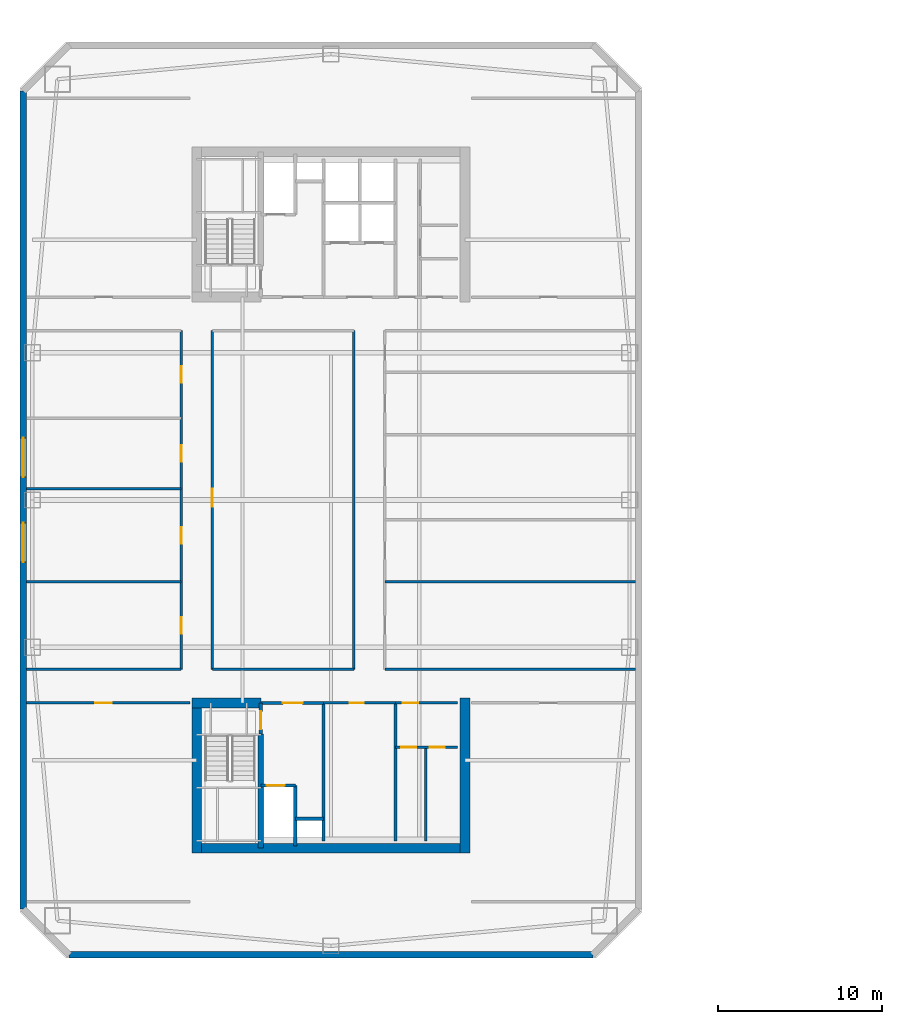
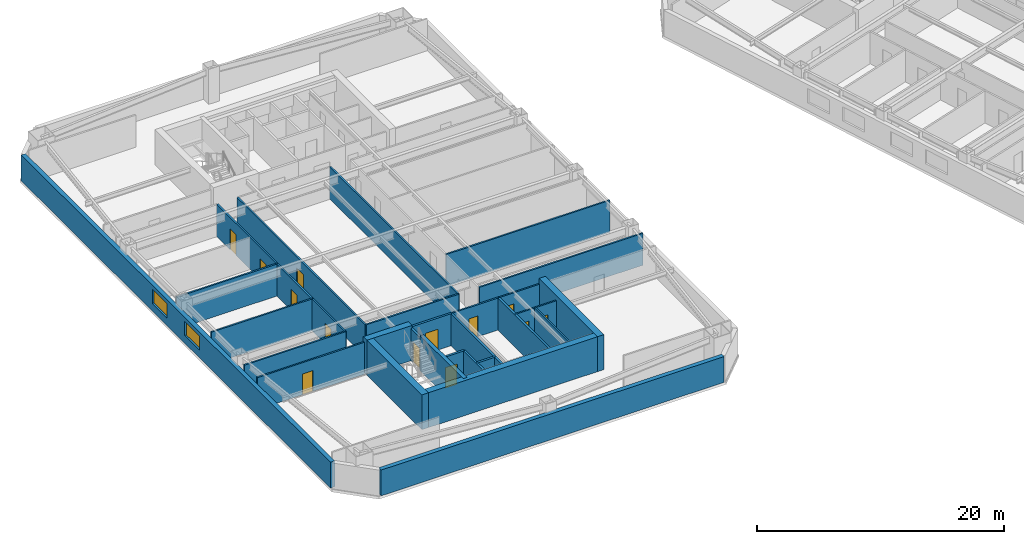
# One storey, part 3 of 11: 28 walls, 13 doors, 2 windows, 15 openings.
"""IFC4 building model written with IfcOpenShell, lengths in metres."""

from ifc_helpers import new_model, si_unit, direction, frame, frame_2d, origin, place, context, subcontext, project, spatial, rectangle, extrude, material, layer, layer_set, type_object, element, fill, save


model = new_model("IFC4")

# Units and contexts
model_context = context("Model", 3, precision=1e-05, world=origin(), true_north=direction((0.0, 1.0)))
body_context = subcontext(model_context, "Body", "Model", "MODEL_VIEW")
ifc_project = project(units=[si_unit("LENGTHUNIT", "METRE"), si_unit("AREAUNIT", "SQUARE_METRE"), si_unit("VOLUMEUNIT", "CUBIC_METRE"), si_unit("PLANEANGLEUNIT", "RADIAN"), si_unit("MASSUNIT", "GRAM", prefix="KILO")], contexts=[model_context])

# Site, building, storey
site_placement = place(None, origin())
site = spatial("IfcSite", under=ifc_project, at=site_placement, CompositionType="ELEMENT")
building_placement = place(site_placement, origin())
building = spatial("IfcBuilding", under=site, at=building_placement, Name="Qiaolan Cultural Towers", CompositionType="ELEMENT")
storey_placement = place(building_placement, frame((0.0, 0.0, 96.60009765625)))
storey = spatial("IfcBuildingStorey", under=building, at=storey_placement, Name="L24", CompositionType="ELEMENT", Elevation=96.60009765625)

# Walls
ifc_material_1 = material(Name="Concrete C50", Category="concrete")
ifc_layer_1 = layer(ifc_material_1, 0.35009765625)
ifc_layer_set_1 = layer_set([ifc_layer_1], Name="Concrete C50")
wall_type_1 = type_object("IfcWallType", Name="WL-CORE-350", PredefinedType="SHEAR", material=ifc_layer_set_1)
wall_1_placement = place(storey_placement, frame((25.719970703125, 19.699951171875, 0.0), z_axis=(0.0, 0.0, 1.0), x_axis=(0.0, -1.0, 0.0)))
element("IfcWall", 1, at=wall_1_placement, inside=storey, type_object=wall_type_1, Name="L24 T1-CS Stair Core Dividing Web", PredefinedType="SHEAR", context=body_context, shape_type="SweptSolid", body=[
    extrude(rectangle(XDim=6.97998046875, YDim=0.35009765625, at=frame_2d((3.489990234375, 0.0))), origin(), (0.0, 0.0, 1.0), 3.449951171875),
])
ifc_material_2 = material(Name="Concrete C55", Category="concrete")
ifc_layer_2 = layer(ifc_material_2, 0.60009765625)
ifc_layer_set_2 = layer_set([ifc_layer_2], Name="Concrete C55")
wall_type_2 = type_object("IfcWallType", Name="WL-CORE-600", PredefinedType="SHEAR", material=ifc_layer_set_2)
wall_2_placement = place(storey_placement, frame((21.5, 12.719970703125, 0.0), z_axis=(0.0, 0.0, 1.0), x_axis=(1.0, 0.0, 0.0)))
element("IfcWall", 2, at=wall_2_placement, inside=storey, type_object=wall_type_2, Name="L24 T1-CS Outer Core Shear Wall", PredefinedType="SHEAR", context=body_context, shape_type="SweptSolid", body=[
    extrude(rectangle(XDim=17.0, YDim=0.60009765625, at=frame_2d((8.5, 0.0))), origin(), (0.0, 0.0, 1.0), 3.449951171875),
])
for number, where, z_axis, x_axis, name in (
    (3, (21.800048828125, 21.89990234375, 0.0), (0.0, 0.0, 1.0), (0.0, -1.0, 0.0), "L24 T1-CS West Core Shear Wall"),
    (4, (38.199951171875, 21.89990234375, 0.0), (0.0, 0.0, 1.0), (0.0, -1.0, 0.0), "L24 T1-CS East Core Shear Wall"),
):
    element("IfcWall", number, at=place(storey_placement, frame(where, z_axis=z_axis, x_axis=x_axis)), inside=storey, type_object=wall_type_2, Name=name, PredefinedType="SHEAR", context=body_context, shape_type="SweptSolid", body=[
        extrude(rectangle(XDim=9.47998046875, YDim=0.60009765625, at=frame_2d((4.739990234375, 0.0))), origin(), (0.0, 0.0, 1.0), 3.449951171875),
    ])
wall_3_placement = place(storey_placement, frame((21.5, 21.60009765625, 0.0), z_axis=(0.0, 0.0, 1.0), x_axis=(1.0, 0.0, 0.0)))
element("IfcWall", 5, at=wall_3_placement, inside=storey, type_object=wall_type_2, Name="L24 T1-CS Stair Front Shear Wall", PredefinedType="SHEAR", context=body_context, shape_type="SweptSolid", body=[
    extrude(rectangle(XDim=4.219970703125, YDim=0.60009765625, at=frame_2d((2.10986328125, 0.0))), origin(), (0.0, 0.0, 1.0), 3.449951171875),
])

# Wall, openings, windows
ifc_material_3 = material(Name="Precast Concrete C50 Honed Stone Pier", Category="masonry")
ifc_layer_3 = layer(ifc_material_3, 0.39990234375)
ifc_layer_set_3 = layer_set([ifc_layer_3], Name="Precast Concrete C50 Honed Stone Pier")
wall_type_3 = type_object("IfcWallType", Name="WL-EXT-PIER-400", PredefinedType="SOLIDWALL", material=ifc_layer_set_3)
wall_4_placement = place(storey_placement, frame((11.199951171875, 9.0, 0.0), z_axis=(0.0, 0.0, 1.0), x_axis=(0.0, 1.0, 0.0)))
wall_4 = element("IfcWall", 6, at=wall_4_placement, inside=storey, type_object=wall_type_3, Name="L24 West Tower Precast Pier Facade Wall F1", PredefinedType="SOLIDWALL", context=body_context, shape_type="SweptSolid", body=[
    extrude(rectangle(XDim=50.0, YDim=0.39990234375, at=frame_2d((25.0, 0.0))), origin(), (0.0, 0.0, 1.0), 2.5498046875),
])
opening_1_placement = place(wall_4_placement, frame((21.199951171875, 0.0, 0.75)))
opening_1 = element("IfcOpeningElement", 7, at=opening_1_placement, cuts=wall_4, Name="Opening W-02", PredefinedType="OPENING", context=body_context, shape_type="SweptSolid", body=[
    extrude(rectangle(XDim=2.39990234375, YDim=1.39990234375, at=frame_2d((1.199951171875, 0.699951171875))), frame((0.0, 0.2099609375, 0.0), z_axis=(0.0, -1.0, 0.0), x_axis=(1.0, 0.0, 0.0)), (0.0, 0.0, 1.0), 0.419921875),
])
opening_2_placement = place(wall_4_placement, frame((26.39990234375, 0.0, 0.75)))
opening_2 = element("IfcOpeningElement", 8, at=opening_2_placement, cuts=wall_4, Name="Opening W-02", PredefinedType="OPENING", context=body_context, shape_type="SweptSolid", body=[
    extrude(rectangle(XDim=2.39990234375, YDim=1.39990234375, at=frame_2d((1.199951171875, 0.699951171875))), frame((0.0, 0.2099609375, 0.0), z_axis=(0.0, -1.0, 0.0), x_axis=(1.0, 0.0, 0.0)), (0.0, 0.0, 1.0), 0.419921875),
])
ifc_material_4 = material(Name="Thermally Broken Aluminium Triple Low-E Glazing", Category="aluminium")
window_type = type_object("IfcWindowType", Name="WN-CHIC-2400", PartitioningType="SINGLE_PANEL", PredefinedType="WINDOW", material=ifc_material_4)
window_1_placement = place(opening_1_placement, origin())
window_1 = element("IfcWindow", 9, at=window_1_placement, inside=storey, type_object=window_type, Name="L24 T1 W Chicago Bay Window 1", OverallHeight=1.39990234375, OverallWidth=2.39990234375, PartitioningType="TRIPLE_PANEL_VERTICAL", PredefinedType="WINDOW", context=body_context, shape_type="SweptSolid", body=[
    extrude(rectangle(XDim=2.39990234375, YDim=1.39990234375, at=frame_2d((1.199951171875, 0.699951171875))), frame((0.0, 0.030029296875, 0.0), z_axis=(0.0, -1.0, 0.0), x_axis=(1.0, 0.0, 0.0)), (0.0, 0.0, 1.0), 0.06005859375),
])
fill(opening_1, window_1)
window_2_placement = place(opening_2_placement, origin())
window_2 = element("IfcWindow", 10, at=window_2_placement, inside=storey, type_object=window_type, Name="L24 T1 W Chicago Bay Window 2", OverallHeight=1.39990234375, OverallWidth=2.39990234375, PartitioningType="TRIPLE_PANEL_VERTICAL", PredefinedType="WINDOW", context=body_context, shape_type="SweptSolid", body=[
    extrude(rectangle(XDim=2.39990234375, YDim=1.39990234375, at=frame_2d((1.199951171875, 0.699951171875))), frame((0.0, 0.030029296875, 0.0), z_axis=(0.0, -1.0, 0.0), x_axis=(1.0, 0.0, 0.0)), (0.0, 0.0, 1.0), 0.06005859375),
])
fill(opening_2, window_2)

# Wall
wall_5_placement = place(storey_placement, frame((46.0, 6.199951171875, 0.0), z_axis=(0.0, 0.0, 1.0), x_axis=(-1.0, 0.0, 0.0)))
element("IfcWall", 11, at=wall_5_placement, inside=storey, type_object=wall_type_3, Name="L24 West Tower Precast Pier Facade Wall F7", PredefinedType="SOLIDWALL", context=body_context, shape_type="SweptSolid", body=[
    extrude(rectangle(XDim=32.0, YDim=0.39990234375, at=frame_2d((16.0, 0.0))), origin(), (0.0, 0.0, 1.0), 2.5498046875),
])

# Wall, opening, door
ifc_material_5 = material(Name="Concrete C35 Fire Wall", Category="concrete")
ifc_layer_4 = layer(ifc_material_5, 0.199951171875)
ifc_layer_set_4 = layer_set([ifc_layer_4], Name="Concrete C35 Fire Wall")
wall_type_4 = type_object("IfcWallType", Name="WL-FIRE-200", PredefinedType="PARTITIONING", material=ifc_layer_set_4)
wall_6_placement = place(storey_placement, frame((25.719970703125, 21.60009765625, 0.0), z_axis=(0.0, 0.0, 1.0), x_axis=(0.0, -1.0, 0.0)))
wall_6 = element("IfcWall", 12, at=wall_6_placement, inside=storey, type_object=wall_type_4, Name="L24 T1-CS Smokeproof Stair Entry Wall", PredefinedType="PARTITIONING", context=body_context, shape_type="SweptSolid", body=[
    extrude(rectangle(XDim=1.900146484375, YDim=0.199951171875, at=frame_2d((0.9501953125, 0.0))), origin(), (0.0, 0.0, 1.0), 3.15478515625),
])
opening_3_placement = place(wall_6_placement, frame((0.52001953125, 0.0, 0.0)))
opening_3 = element("IfcOpeningElement", 13, at=opening_3_placement, cuts=wall_6, Name="Opening FD-04", PredefinedType="OPENING", context=body_context, shape_type="SweptSolid", body=[
    extrude(rectangle(XDim=1.10009765625, YDim=2.050048828125, at=frame_2d((0.550048828125, 1.02490234375))), frame((0.0, 0.10986328125, 0.0), z_axis=(0.0, -1.0, 0.0), x_axis=(1.0, 0.0, 0.0)), (0.0, 0.0, 1.0), 0.219970703125),
])
ifc_material_6 = material(Name="Galvanized Steel Command Fire Door", Category="steel")
door_type_1 = type_object("IfcDoorType", Name="DR-FD90-1100", OperationType="NOTDEFINED", PredefinedType="DOOR", material=ifc_material_6)
door_1_placement = place(opening_3_placement, origin())
door_1 = element("IfcDoor", 14, at=door_1_placement, inside=storey, type_object=door_type_1, Name="L24 ST-W1 Smokeproof Stair Fire Door", OperationType="SINGLE_SWING_LEFT", OverallHeight=2.050048828125, OverallWidth=1.10009765625, PredefinedType="DOOR", context=body_context, shape_type="SweptSolid", body=[
    extrude(rectangle(XDim=1.10009765625, YDim=2.050048828125, at=frame_2d((0.550048828125, 1.02490234375))), frame((0.0, 0.02490234375, 0.0), z_axis=(0.0, -1.0, 0.0), x_axis=(1.0, 0.0, 0.0)), (0.0, 0.0, 1.0), 0.050048828125),
])
fill(opening_3, door_1)

# Wall
wall_7_placement = place(storey_placement, frame((29.550048828125, 21.60009765625, 0.0), z_axis=(0.0, 0.0, 1.0), x_axis=(0.0, -1.0, 0.0)))
element("IfcWall", 15, at=wall_7_placement, inside=storey, type_object=wall_type_4, Name="L24 T1-CS Firefighting Zone Wall", PredefinedType="PARTITIONING", context=body_context, shape_type="SweptSolid", body=[
    extrude(rectangle(XDim=8.43017578125, YDim=0.199951171875, at=frame_2d((4.215087890625, 0.0))), origin(), (0.0, 0.0, 1.0), 3.15478515625),
])

# Wall, opening, door
wall_8_placement = place(storey_placement, frame((25.719970703125, 21.60009765625, 0.0), z_axis=(0.0, 0.0, 1.0), x_axis=(1.0, 0.0, 0.0)))
wall_8 = element("IfcWall", 16, at=wall_8_placement, inside=storey, type_object=wall_type_4, Name="L24 T1-CS Firefighting Lobby Front Wall", PredefinedType="PARTITIONING", context=body_context, shape_type="SweptSolid", body=[
    extrude(rectangle(XDim=3.830078125, YDim=0.199951171875, at=frame_2d((1.9150390625, 0.0))), origin(), (0.0, 0.0, 1.0), 3.15478515625),
])
opening_4_placement = place(wall_8_placement, frame((1.35009765625, 0.0, 0.0)))
opening_4 = element("IfcOpeningElement", 17, at=opening_4_placement, cuts=wall_8, Name="Opening FD-03", PredefinedType="OPENING", context=body_context, shape_type="SweptSolid", body=[
    extrude(rectangle(XDim=1.199951171875, YDim=2.050048828125, at=frame_2d((0.60009765625, 1.02490234375))), frame((0.0, 0.10986328125, 0.0), z_axis=(0.0, -1.0, 0.0), x_axis=(1.0, 0.0, 0.0)), (0.0, 0.0, 1.0), 0.219970703125),
])
ifc_material_7 = material(Name="Galvanized Steel Smokeproof Lobby Fire Door", Category="steel")
door_type_2 = type_object("IfcDoorType", Name="DR-FD90-1200", OperationType="NOTDEFINED", PredefinedType="DOOR", material=ifc_material_7)
door_2_placement = place(opening_4_placement, origin())
door_2 = element("IfcDoor", 18, at=door_2_placement, inside=storey, type_object=door_type_2, Name="L24 FFL-W1 Firefighting Lobby Fire Door", OperationType="SINGLE_SWING_LEFT", OverallHeight=2.050048828125, OverallWidth=1.199951171875, PredefinedType="DOOR", context=body_context, shape_type="SweptSolid", body=[
    extrude(rectangle(XDim=1.199951171875, YDim=2.050048828125, at=frame_2d((0.60009765625, 1.02490234375))), frame((0.0, 0.02490234375, 0.0), z_axis=(0.0, -1.0, 0.0), x_axis=(1.0, 0.0, 0.0)), (0.0, 0.0, 1.0), 0.050048828125),
])
fill(opening_4, door_2)

wall_9_placement = place(storey_placement, frame((25.719970703125, 16.550048828125, 0.0), z_axis=(0.0, 0.0, 1.0), x_axis=(1.0, 0.0, 0.0)))
wall_9 = element("IfcWall", 19, at=wall_9_placement, inside=storey, type_object=wall_type_4, Name="L24 T1-CS Firefighting Shaft Front Wall", PredefinedType="PARTITIONING", context=body_context, shape_type="SweptSolid", body=[
    extrude(rectangle(XDim=2.10009765625, YDim=0.199951171875, at=frame_2d((1.050048828125, 0.0))), origin(), (0.0, 0.0, 1.0), 3.15478515625),
])
opening_5_placement = place(wall_9_placement, frame((0.35009765625, 0.0, 0.0)))
opening_5 = element("IfcOpeningElement", 20, at=opening_5_placement, cuts=wall_9, Name="Opening LD-01", PredefinedType="OPENING", context=body_context, shape_type="SweptSolid", body=[
    extrude(rectangle(XDim=1.10009765625, YDim=2.050048828125, at=frame_2d((0.550048828125, 1.02490234375))), frame((0.0, 0.10986328125, 0.0), z_axis=(0.0, -1.0, 0.0), x_axis=(1.0, 0.0, 0.0)), (0.0, 0.0, 1.0), 0.219970703125),
])
ifc_material_8 = material(Name="Brushed Stainless Steel S30408 Centre-Parting Lift Landing Door", Category="steel")
door_type_3 = type_object("IfcDoorType", Name="DR-LIFT-1100", OperationType="NOTDEFINED", PredefinedType="DOOR", material=ifc_material_8)
door_3_placement = place(opening_5_placement, origin())
door_3 = element("IfcDoor", 21, at=door_3_placement, inside=storey, type_object=door_type_3, Name="L24 FFL-W1 Firefighting Lift Landing Door", OperationType="DOUBLE_DOOR_SLIDING", OverallHeight=2.050048828125, OverallWidth=1.10009765625, PredefinedType="DOOR", context=body_context, shape_type="SweptSolid", body=[
    extrude(rectangle(XDim=1.10009765625, YDim=2.050048828125, at=frame_2d((0.550048828125, 1.02490234375))), frame((0.0, 0.02490234375, 0.0), z_axis=(0.0, -1.0, 0.0), x_axis=(1.0, 0.0, 0.0)), (0.0, 0.0, 1.0), 0.050048828125),
])
fill(opening_5, door_3)

# Walls
wall_10_placement = place(storey_placement, frame((27.820068359375, 16.550048828125, 0.0), z_axis=(0.0, 0.0, 1.0), x_axis=(0.0, -1.0, 0.0)))
element("IfcWall", 22, at=wall_10_placement, inside=storey, type_object=wall_type_4, Name="L24 T1-CS Firefighting Hoistway East Wall", PredefinedType="PARTITIONING", context=body_context, shape_type="SweptSolid", body=[
    extrude(rectangle(XDim=3.699951171875, YDim=0.199951171875, at=frame_2d((1.85009765625, 0.0))), origin(), (0.0, 0.0, 1.0), 3.15478515625),
])
wall_11_placement = place(storey_placement, frame((27.820068359375, 14.52001953125, 0.0), z_axis=(0.0, 0.0, 1.0), x_axis=(1.0, 0.0, 0.0)))
element("IfcWall", 23, at=wall_11_placement, inside=storey, type_object=wall_type_4, Name="L24 T1-CS Pressurization Shaft Front Wall", PredefinedType="PARTITIONING", context=body_context, shape_type="SweptSolid", body=[
    extrude(rectangle(XDim=1.72998046875, YDim=0.199951171875, at=frame_2d((0.864990234375, 0.0))), origin(), (0.0, 0.0, 1.0), 3.15478515625),
])
wall_12_placement = place(storey_placement, frame((33.949951171875, 21.60009765625, 0.0), z_axis=(0.0, 0.0, 1.0), x_axis=(0.0, -1.0, 0.0)))
element("IfcWall", 24, at=wall_12_placement, inside=storey, type_object=wall_type_4, Name="L24 T1-CS Lift Core East Wall", PredefinedType="PARTITIONING", context=body_context, shape_type="SweptSolid", body=[
    extrude(rectangle(XDim=8.43017578125, YDim=0.199951171875, at=frame_2d((4.215087890625, 0.0))), origin(), (0.0, 0.0, 1.0), 3.15478515625),
])

# Wall, opening, door
ifc_material_9 = material(Name="Autoclaved Aerated Concrete Block B06", Category="concrete")
ifc_layer_5 = layer(ifc_material_9, 0.14990234375)
ifc_layer_set_5 = layer_set([ifc_layer_5], Name="Autoclaved Aerated Concrete Block B06")
wall_type_5 = type_object("IfcWallType", Name="WL-PART-150", PredefinedType="PARTITIONING", material=ifc_layer_set_5)
wall_13_placement = place(storey_placement, frame((29.550048828125, 21.60009765625, 0.0), z_axis=(0.0, 0.0, 1.0), x_axis=(1.0, 0.0, 0.0)))
wall_13 = element("IfcWall", 25, at=wall_13_placement, inside=storey, type_object=wall_type_5, Name="L24 T1-CS Reclaimed Core Room Front Wall", PredefinedType="PARTITIONING", context=body_context, shape_type="SweptSolid", body=[
    extrude(rectangle(XDim=4.39990234375, YDim=0.14990234375, at=frame_2d((2.199951171875, 0.0))), origin(), (0.0, 0.0, 1.0), 3.15478515625),
])
opening_6_placement = place(wall_13_placement, frame((1.60009765625, 0.0, 0.0)))
opening_6 = element("IfcOpeningElement", 26, at=opening_6_placement, cuts=wall_13, Name="Opening ID-09", PredefinedType="OPENING", context=body_context, shape_type="SweptSolid", body=[
    extrude(rectangle(XDim=0.85009765625, YDim=2.050048828125, at=frame_2d((0.425048828125, 1.02490234375))), frame((0.0, 0.0849609375, 0.0), z_axis=(0.0, -1.0, 0.0), x_axis=(1.0, 0.0, 0.0)), (0.0, 0.0, 1.0), 0.169921875),
])
ifc_material_10 = material(Name="Moisture-Resistant Laminate Utility Door", Category="timber")
door_type_4 = type_object("IfcDoorType", Name="DR-INT-850", OperationType="NOTDEFINED", PredefinedType="DOOR", material=ifc_material_10)
door_4_placement = place(opening_6_placement, origin())
door_4 = element("IfcDoor", 27, at=door_4_placement, inside=storey, type_object=door_type_4, Name="L24 Reclaimed Archive Room Door", OperationType="SINGLE_SWING_LEFT", OverallHeight=2.050048828125, OverallWidth=0.85009765625, PredefinedType="DOOR", context=body_context, shape_type="SweptSolid", body=[
    extrude(rectangle(XDim=0.85009765625, YDim=2.050048828125, at=frame_2d((0.425048828125, 1.02490234375))), frame((0.0, 0.02490234375, 0.0), z_axis=(0.0, -1.0, 0.0), x_axis=(1.0, 0.0, 0.0)), (0.0, 0.0, 1.0), 0.050048828125),
])
fill(opening_6, door_4)

wall_14_placement = place(storey_placement, frame((33.949951171875, 21.60009765625, 0.0), z_axis=(0.0, 0.0, 1.0), x_axis=(1.0, 0.0, 0.0)))
wall_14 = element("IfcWall", 28, at=wall_14_placement, inside=storey, type_object=wall_type_5, Name="L24 T1-CS Sanitary Core Front Wall", PredefinedType="PARTITIONING", context=body_context, shape_type="SweptSolid", body=[
    extrude(rectangle(XDim=3.800048828125, YDim=0.14990234375, at=frame_2d((1.89990234375, 0.0))), origin(), (0.0, 0.0, 1.0), 3.15478515625),
])
opening_7_placement = place(wall_14_placement, frame((0.449951171875, 0.0, 0.0)))
opening_7 = element("IfcOpeningElement", 29, at=opening_7_placement, cuts=wall_14, Name="Opening ID-05", PredefinedType="OPENING", context=body_context, shape_type="SweptSolid", body=[
    extrude(rectangle(XDim=0.949951171875, YDim=2.050048828125, at=frame_2d((0.47509765625, 1.02490234375))), frame((0.0, 0.0849609375, 0.0), z_axis=(0.0, -1.0, 0.0), x_axis=(1.0, 0.0, 0.0)), (0.0, 0.0, 1.0), 0.169921875),
])
ifc_material_11 = material(Name="Fire-Rated Laminate Accessible Core Door", Category="timber")
door_type_5 = type_object("IfcDoorType", Name="DR-INT-950", OperationType="NOTDEFINED", PredefinedType="DOOR", material=ifc_material_11)
door_5_placement = place(opening_7_placement, origin())
door_5 = element("IfcDoor", 30, at=door_5_placement, inside=storey, type_object=door_type_5, Name="L24 Sanitary Vestibule Door", OperationType="SINGLE_SWING_LEFT", OverallHeight=2.050048828125, OverallWidth=0.949951171875, PredefinedType="DOOR", context=body_context, shape_type="SweptSolid", body=[
    extrude(rectangle(XDim=0.949951171875, YDim=2.050048828125, at=frame_2d((0.47509765625, 1.02490234375))), frame((0.0, 0.02490234375, 0.0), z_axis=(0.0, -1.0, 0.0), x_axis=(1.0, 0.0, 0.0)), (0.0, 0.0, 1.0), 0.050048828125),
])
fill(opening_7, door_5)

# Wall, openings, doors
wall_15_placement = place(storey_placement, frame((33.949951171875, 18.89990234375, 0.0), z_axis=(0.0, 0.0, 1.0), x_axis=(1.0, 0.0, 0.0)))
wall_15 = element("IfcWall", 31, at=wall_15_placement, inside=storey, type_object=wall_type_5, Name="L24 T1-CS Restroom Vestibule Wall", PredefinedType="PARTITIONING", context=body_context, shape_type="SweptSolid", body=[
    extrude(rectangle(XDim=3.800048828125, YDim=0.14990234375, at=frame_2d((1.89990234375, 0.0))), origin(), (0.0, 0.0, 1.0), 3.15478515625),
])
opening_8_placement = place(wall_15_placement, frame((0.35009765625, 0.0, 0.0)))
opening_8 = element("IfcOpeningElement", 32, at=opening_8_placement, cuts=wall_15, Name="Opening ID-06", PredefinedType="OPENING", context=body_context, shape_type="SweptSolid", body=[
    extrude(rectangle(XDim=0.89990234375, YDim=2.050048828125, at=frame_2d((0.449951171875, 1.02490234375))), frame((0.0, 0.0849609375, 0.0), z_axis=(0.0, -1.0, 0.0), x_axis=(1.0, 0.0, 0.0)), (0.0, 0.0, 1.0), 0.169921875),
])
opening_9_placement = place(wall_15_placement, frame((2.10009765625, 0.0, 0.0)))
opening_9 = element("IfcOpeningElement", 33, at=opening_9_placement, cuts=wall_15, Name="Opening ID-06", PredefinedType="OPENING", context=body_context, shape_type="SweptSolid", body=[
    extrude(rectangle(XDim=0.89990234375, YDim=2.050048828125, at=frame_2d((0.449951171875, 1.02490234375))), frame((0.0, 0.0849609375, 0.0), z_axis=(0.0, -1.0, 0.0), x_axis=(1.0, 0.0, 0.0)), (0.0, 0.0, 1.0), 0.169921875),
])
ifc_material_12 = material(Name="Fire-Rated Laminate Core Service Door", Category="timber")
door_type_6 = type_object("IfcDoorType", Name="DR-INT-900", OperationType="NOTDEFINED", PredefinedType="DOOR", material=ifc_material_12)
door_6_placement = place(opening_8_placement, origin())
door_6 = element("IfcDoor", 34, at=door_6_placement, inside=storey, type_object=door_type_6, Name="L24 Men Restroom Door", OperationType="SINGLE_SWING_LEFT", OverallHeight=2.050048828125, OverallWidth=0.89990234375, PredefinedType="DOOR", context=body_context, shape_type="SweptSolid", body=[
    extrude(rectangle(XDim=0.89990234375, YDim=2.050048828125, at=frame_2d((0.449951171875, 1.02490234375))), frame((0.0, 0.02490234375, 0.0), z_axis=(0.0, -1.0, 0.0), x_axis=(1.0, 0.0, 0.0)), (0.0, 0.0, 1.0), 0.050048828125),
])
fill(opening_8, door_6)
door_7_placement = place(opening_9_placement, origin())
door_7 = element("IfcDoor", 35, at=door_7_placement, inside=storey, type_object=door_type_6, Name="L24 Accessible & Women Restroom Door", OperationType="SINGLE_SWING_RIGHT", OverallHeight=2.050048828125, OverallWidth=0.89990234375, PredefinedType="DOOR", context=body_context, shape_type="SweptSolid", body=[
    extrude(rectangle(XDim=0.89990234375, YDim=2.050048828125, at=frame_2d((0.449951171875, 1.02490234375))), frame((0.0, 0.02490234375, 0.0), z_axis=(0.0, -1.0, 0.0), x_axis=(1.0, 0.0, 0.0)), (0.0, 0.0, 1.0), 0.050048828125),
])
fill(opening_9, door_7)

# Wall
wall_16_placement = place(storey_placement, frame((35.800048828125, 18.89990234375, 0.0), z_axis=(0.0, 0.0, 1.0), x_axis=(0.0, -1.0, 0.0)))
element("IfcWall", 36, at=wall_16_placement, inside=storey, type_object=wall_type_5, Name="L24 T1-CS Restroom Divider Wall", PredefinedType="PARTITIONING", context=body_context, shape_type="SweptSolid", body=[
    extrude(rectangle(XDim=5.72998046875, YDim=0.14990234375, at=frame_2d((2.864990234375, 0.0))), origin(), (0.0, 0.0, 1.0), 3.15478515625),
])

# Wall, opening, door
wall_17_placement = place(storey_placement, frame((11.39990234375, 21.60009765625, 0.0), z_axis=(0.0, 0.0, 1.0), x_axis=(1.0, 0.0, 0.0)))
wall_17 = element("IfcWall", 37, at=wall_17_placement, inside=storey, type_object=wall_type_5, Name="L24 T1 Flank Front FLK-SW", PredefinedType="PARTITIONING", context=body_context, shape_type="SweptSolid", body=[
    extrude(rectangle(XDim=10.0, YDim=0.14990234375, at=frame_2d((5.0, 0.0))), origin(), (0.0, 0.0, 1.0), 3.15478515625),
])
opening_10_placement = place(wall_17_placement, frame((4.199951171875, 0.0, 0.0)))
opening_10 = element("IfcOpeningElement", 38, at=opening_10_placement, cuts=wall_17, Name="Opening ID-04", PredefinedType="OPENING", context=body_context, shape_type="SweptSolid", body=[
    extrude(rectangle(XDim=1.0, YDim=2.050048828125, at=frame_2d((0.5, 1.02490234375))), frame((0.0, 0.0849609375, 0.0), z_axis=(0.0, -1.0, 0.0), x_axis=(1.0, 0.0, 0.0)), (0.0, 0.0, 1.0), 0.169921875),
])
ifc_material_13 = material(Name="Oak Veneer Acoustic Office Door", Category="timber")
door_type_7 = type_object("IfcDoorType", Name="DR-INT-1000", OperationType="NOTDEFINED", PredefinedType="DOOR", material=ifc_material_13)
door_8_placement = place(opening_10_placement, origin())
door_8 = element("IfcDoor", 39, at=door_8_placement, inside=storey, type_object=door_type_7, Name="L24 T1 Corner Studio Door", OperationType="SINGLE_SWING_LEFT", OverallHeight=2.050048828125, OverallWidth=1.0, PredefinedType="DOOR", context=body_context, shape_type="SweptSolid", body=[
    extrude(rectangle(XDim=1.0, YDim=2.050048828125, at=frame_2d((0.5, 1.02490234375))), frame((0.0, 0.02490234375, 0.0), z_axis=(0.0, -1.0, 0.0), x_axis=(1.0, 0.0, 0.0)), (0.0, 0.0, 1.0), 0.050048828125),
])
fill(opening_10, door_8)

# Walls
wall_18_placement = place(storey_placement, frame((11.39990234375, 23.64990234375, 0.0), z_axis=(0.0, 0.0, 1.0), x_axis=(1.0, 0.0, 0.0)))
element("IfcWall", 40, at=wall_18_placement, inside=storey, type_object=wall_type_5, Name="L24 T1 Interior Wall", PredefinedType="PARTITIONING", context=body_context, shape_type="SweptSolid", body=[
    extrude(rectangle(XDim=9.4501953125, YDim=0.14990234375, at=frame_2d((4.72509765625, 0.0))), origin(), (0.0, 0.0, 1.0), 3.15478515625),
])
wall_19_placement = place(storey_placement, frame((22.75, 23.64990234375, 0.0), z_axis=(0.0, 0.0, 1.0), x_axis=(1.0, 0.0, 0.0)))
element("IfcWall", 41, at=wall_19_placement, inside=storey, type_object=wall_type_5, Name="L24 T1 Interior Wall", PredefinedType="PARTITIONING", context=body_context, shape_type="SweptSolid", body=[
    extrude(rectangle(XDim=8.64990234375, YDim=0.14990234375, at=frame_2d((4.324951171875, 0.0))), origin(), (0.0, 0.0, 1.0), 3.15478515625),
])
wall_20_placement = place(storey_placement, frame((33.300048828125, 23.64990234375, 0.0), z_axis=(0.0, 0.0, 1.0), x_axis=(1.0, 0.0, 0.0)))
element("IfcWall", 42, at=wall_20_placement, inside=storey, type_object=wall_type_5, Name="L24 T1 Interior Wall", PredefinedType="PARTITIONING", context=body_context, shape_type="SweptSolid", body=[
    extrude(rectangle(XDim=15.300048828125, YDim=0.14990234375, at=frame_2d((7.64990234375, 0.0))), origin(), (0.0, 0.0, 1.0), 3.15478515625),
])

# Wall, openings, doors
wall_21_placement = place(storey_placement, frame((20.85009765625, 23.64990234375, 0.0), z_axis=(0.0, 0.0, 1.0), x_axis=(0.0, 1.0, 0.0)))
wall_21 = element("IfcWall", 43, at=wall_21_placement, inside=storey, type_object=wall_type_5, Name="L24 T1 Interior Wall", PredefinedType="PARTITIONING", context=body_context, shape_type="SweptSolid", body=[
    extrude(rectangle(XDim=20.7001953125, YDim=0.14990234375, at=frame_2d((10.35009765625, 0.0))), origin(), (0.0, 0.0, 1.0), 3.15478515625),
])
opening_11_placement = place(wall_21_placement, frame((2.175048828125, 0.0, 0.0)))
opening_11 = element("IfcOpeningElement", 44, at=opening_11_placement, cuts=wall_21, Name="Opening ID-04", PredefinedType="OPENING", context=body_context, shape_type="SweptSolid", body=[
    extrude(rectangle(XDim=1.0, YDim=2.050048828125, at=frame_2d((0.5, 1.02490234375))), frame((0.0, 0.0849609375, 0.0), z_axis=(0.0, -1.0, 0.0), x_axis=(1.0, 0.0, 0.0)), (0.0, 0.0, 1.0), 0.169921875),
])
opening_12_placement = place(wall_21_placement, frame((7.68994140625, 0.0, 0.0)))
opening_12 = element("IfcOpeningElement", 45, at=opening_12_placement, cuts=wall_21, Name="Opening ID-04", PredefinedType="OPENING", context=body_context, shape_type="SweptSolid", body=[
    extrude(rectangle(XDim=1.0, YDim=2.050048828125, at=frame_2d((0.5, 1.02490234375))), frame((0.0, 0.0849609375, 0.0), z_axis=(0.0, -1.0, 0.0), x_axis=(1.0, 0.0, 0.0)), (0.0, 0.0, 1.0), 0.169921875),
])
opening_13_placement = place(wall_21_placement, frame((12.68994140625, 0.0, 0.0)))
opening_13 = element("IfcOpeningElement", 46, at=opening_13_placement, cuts=wall_21, Name="Opening ID-04", PredefinedType="OPENING", context=body_context, shape_type="SweptSolid", body=[
    extrude(rectangle(XDim=1.0, YDim=2.050048828125, at=frame_2d((0.5, 1.02490234375))), frame((0.0, 0.0849609375, 0.0), z_axis=(0.0, -1.0, 0.0), x_axis=(1.0, 0.0, 0.0)), (0.0, 0.0, 1.0), 0.169921875),
])
opening_14_placement = place(wall_21_placement, frame((17.52490234375, 0.0, 0.0)))
opening_14 = element("IfcOpeningElement", 47, at=opening_14_placement, cuts=wall_21, Name="Opening ID-04", PredefinedType="OPENING", context=body_context, shape_type="SweptSolid", body=[
    extrude(rectangle(XDim=1.0, YDim=2.050048828125, at=frame_2d((0.5, 1.02490234375))), frame((0.0, 0.0849609375, 0.0), z_axis=(0.0, -1.0, 0.0), x_axis=(1.0, 0.0, 0.0)), (0.0, 0.0, 1.0), 0.169921875),
])
door_9_placement = place(opening_11_placement, origin())
door_9 = element("IfcDoor", 48, at=door_9_placement, inside=storey, type_object=door_type_7, Name="L24 T1 Rare Books Reading Room Door", OperationType="SINGLE_SWING_LEFT", OverallHeight=2.050048828125, OverallWidth=1.0, PredefinedType="DOOR", context=body_context, shape_type="SweptSolid", body=[
    extrude(rectangle(XDim=1.0, YDim=2.050048828125, at=frame_2d((0.5, 1.02490234375))), frame((0.0, 0.02490234375, 0.0), z_axis=(0.0, -1.0, 0.0), x_axis=(1.0, 0.0, 0.0)), (0.0, 0.0, 1.0), 0.050048828125),
])
fill(opening_11, door_9)
door_10_placement = place(opening_12_placement, origin())
door_10 = element("IfcDoor", 49, at=door_10_placement, inside=storey, type_object=door_type_7, Name="L24 T1 Rare Books Reading Room Door", OperationType="SINGLE_SWING_RIGHT", OverallHeight=2.050048828125, OverallWidth=1.0, PredefinedType="DOOR", context=body_context, shape_type="SweptSolid", body=[
    extrude(rectangle(XDim=1.0, YDim=2.050048828125, at=frame_2d((0.5, 1.02490234375))), frame((0.0, 0.02490234375, 0.0), z_axis=(0.0, -1.0, 0.0), x_axis=(1.0, 0.0, 0.0)), (0.0, 0.0, 1.0), 0.050048828125),
])
fill(opening_12, door_10)
door_11_placement = place(opening_13_placement, origin())
door_11 = element("IfcDoor", 50, at=door_11_placement, inside=storey, type_object=door_type_7, Name="L24 T1 Rare Books Reading Room Door", OperationType="SINGLE_SWING_LEFT", OverallHeight=2.050048828125, OverallWidth=1.0, PredefinedType="DOOR", context=body_context, shape_type="SweptSolid", body=[
    extrude(rectangle(XDim=1.0, YDim=2.050048828125, at=frame_2d((0.5, 1.02490234375))), frame((0.0, 0.02490234375, 0.0), z_axis=(0.0, -1.0, 0.0), x_axis=(1.0, 0.0, 0.0)), (0.0, 0.0, 1.0), 0.050048828125),
])
fill(opening_13, door_11)
door_12_placement = place(opening_14_placement, origin())
door_12 = element("IfcDoor", 51, at=door_12_placement, inside=storey, type_object=door_type_7, Name="L24 T1 Manuscript Salon Door", OperationType="SINGLE_SWING_RIGHT", OverallHeight=2.050048828125, OverallWidth=1.0, PredefinedType="DOOR", context=body_context, shape_type="SweptSolid", body=[
    extrude(rectangle(XDim=1.0, YDim=2.050048828125, at=frame_2d((0.5, 1.02490234375))), frame((0.0, 0.02490234375, 0.0), z_axis=(0.0, -1.0, 0.0), x_axis=(1.0, 0.0, 0.0)), (0.0, 0.0, 1.0), 0.050048828125),
])
fill(opening_14, door_12)

# Wall, opening, door
wall_22_placement = place(storey_placement, frame((22.75, 23.64990234375, 0.0), z_axis=(0.0, 0.0, 1.0), x_axis=(0.0, 1.0, 0.0)))
wall_22 = element("IfcWall", 52, at=wall_22_placement, inside=storey, type_object=wall_type_5, Name="L24 T1 Interior Wall", PredefinedType="PARTITIONING", context=body_context, shape_type="SweptSolid", body=[
    extrude(rectangle(XDim=20.7001953125, YDim=0.14990234375, at=frame_2d((10.35009765625, 0.0))), origin(), (0.0, 0.0, 1.0), 3.15478515625),
])
opening_15_placement = place(wall_22_placement, frame((9.93603515625, 0.0, 0.0)))
opening_15 = element("IfcOpeningElement", 53, at=opening_15_placement, cuts=wall_22, Name="Opening ID-03", PredefinedType="OPENING", context=body_context, shape_type="SweptSolid", body=[
    extrude(rectangle(XDim=1.10009765625, YDim=2.050048828125, at=frame_2d((0.550048828125, 1.02490234375))), frame((0.0, 0.0849609375, 0.0), z_axis=(0.0, -1.0, 0.0), x_axis=(1.0, 0.0, 0.0)), (0.0, 0.0, 1.0), 0.169921875),
])
ifc_material_14 = material(Name="Oak Veneer Solid-Core Boardroom Door", Category="timber")
door_type_8 = type_object("IfcDoorType", Name="DR-INT-1100", OperationType="NOTDEFINED", PredefinedType="DOOR", material=ifc_material_14)
door_13_placement = place(opening_15_placement, origin())
door_13 = element("IfcDoor", 54, at=door_13_placement, inside=storey, type_object=door_type_8, Name="L24 T1 Central Colloquium Hall Door", OperationType="SINGLE_SWING_LEFT", OverallHeight=2.050048828125, OverallWidth=1.10009765625, PredefinedType="DOOR", context=body_context, shape_type="SweptSolid", body=[
    extrude(rectangle(XDim=1.10009765625, YDim=2.050048828125, at=frame_2d((0.550048828125, 1.02490234375))), frame((0.0, 0.02490234375, 0.0), z_axis=(0.0, -1.0, 0.0), x_axis=(1.0, 0.0, 0.0)), (0.0, 0.0, 1.0), 0.050048828125),
])
fill(opening_15, door_13)

# Walls
wall_23_placement = place(storey_placement, frame((31.39990234375, 23.64990234375, 0.0), z_axis=(0.0, 0.0, 1.0), x_axis=(0.0, 1.0, 0.0)))
element("IfcWall", 55, at=wall_23_placement, inside=storey, type_object=wall_type_5, Name="L24 T1 Interior Wall", PredefinedType="PARTITIONING", context=body_context, shape_type="SweptSolid", body=[
    extrude(rectangle(XDim=20.7001953125, YDim=0.14990234375, at=frame_2d((10.35009765625, 0.0))), origin(), (0.0, 0.0, 1.0), 3.15478515625),
])
for number, where, z_axis, x_axis, name in (
    (56, (11.39990234375, 29.0, 0.0), (0.0, 0.0, 1.0), (1.0, 0.0, 0.0), "L24 T1 Interior Wall"),
    (57, (11.39990234375, 34.679931640625, 0.0), (0.0, 0.0, 1.0), (1.0, 0.0, 0.0), "L24 T1 Interior Wall"),
):
    element("IfcWall", number, at=place(storey_placement, frame(where, z_axis=z_axis, x_axis=x_axis)), inside=storey, type_object=wall_type_5, Name=name, PredefinedType="PARTITIONING", context=body_context, shape_type="SweptSolid", body=[
        extrude(rectangle(XDim=9.4501953125, YDim=0.14990234375, at=frame_2d((4.72509765625, 0.0))), origin(), (0.0, 0.0, 1.0), 3.15478515625),
    ])
wall_24_placement = place(storey_placement, frame((33.300048828125, 29.0, 0.0), z_axis=(0.0, 0.0, 1.0), x_axis=(1.0, 0.0, 0.0)))
element("IfcWall", 58, at=wall_24_placement, inside=storey, type_object=wall_type_5, Name="L24 T1 Interior Wall", PredefinedType="PARTITIONING", context=body_context, shape_type="SweptSolid", body=[
    extrude(rectangle(XDim=15.300048828125, YDim=0.14990234375, at=frame_2d((7.64990234375, 0.0))), origin(), (0.0, 0.0, 1.0), 3.15478515625),
])

save(model, "model.ifc")
